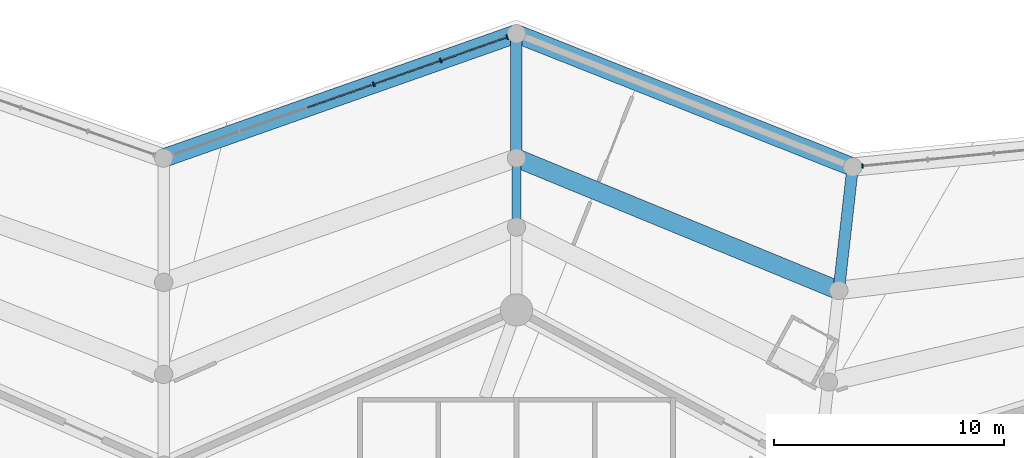
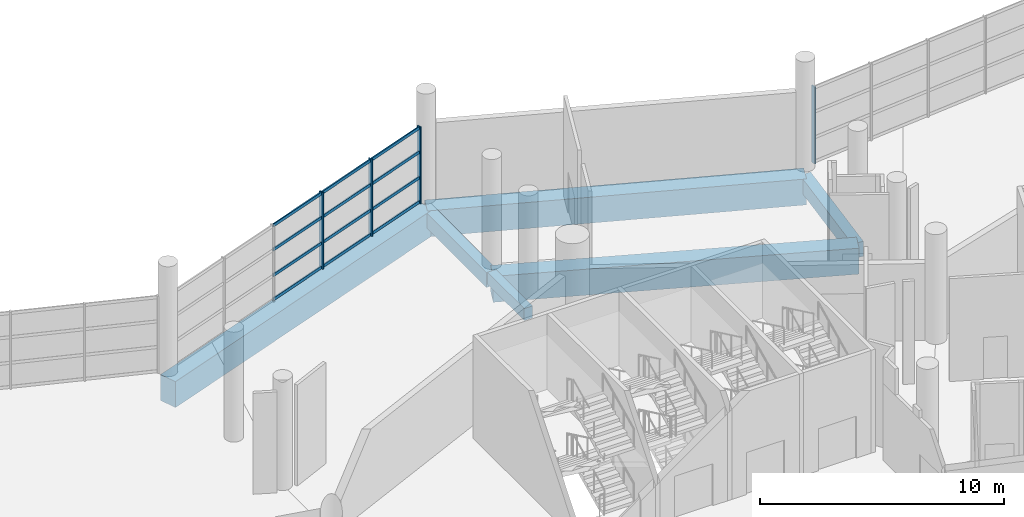
# One storey, part 108 of 271: 16 members, 6 beams, 2 elements without a shape of their own.
"""IFC4 building model written with IfcOpenShell, lengths in metres."""

from ifc_helpers import new_model, si_unit, direction, frame, origin, origin_2d, place, context, subcontext, project, spatial, rectangle, extrude, material, layer, layer_set, material_profile, profile_set, type_object, element, aggregate, save


model = new_model("IFC4")

# Units and contexts
model_context = context("Model", 3, precision=1e-05, world=origin(), true_north=direction((0.0, 1.0)))
body_context = subcontext(model_context, "Body", "Model", "MODEL_VIEW")
ifc_project = project(units=[si_unit("LENGTHUNIT", "METRE"), si_unit("AREAUNIT", "SQUARE_METRE"), si_unit("VOLUMEUNIT", "CUBIC_METRE"), si_unit("PLANEANGLEUNIT", "RADIAN"), si_unit("MASSUNIT", "GRAM", prefix="KILO")], contexts=[model_context])

# Site, building, storey
site_placement = place(None, origin())
site = spatial("IfcSite", under=ifc_project, at=site_placement, CompositionType="ELEMENT")
building_placement = place(site_placement, origin())
building = spatial("IfcBuilding", under=site, at=building_placement, Name="Meseta Stadium", CompositionType="ELEMENT")
storey_placement = place(building_placement, frame((0.0, 0.0, 6.5)))
storey = spatial("IfcBuildingStorey", under=building, at=storey_placement, Name="L01", CompositionType="ELEMENT", Elevation=6.5)

# Beams
ifc_material_1 = material(Name="Concrete C40/50", Category="concrete")
ifc_material_profile_1 = material_profile(ifc_material_1, rectangle(XDim=0.39990234375, YDim=0.60009765625, at=origin_2d()), Name="RC 400x600")
ifc_profile_set_1 = profile_set([ifc_material_profile_1], Name="Concrete C40/50")
beam_type_1 = type_object("IfcBeamType", Name="RC beam 400x600", PredefinedType="BEAM", material=ifc_profile_set_1)
beam_1_placement = place(storey_placement, frame((38.333251953125, 109.0, -0.64990234375), z_axis=(0.0, 1.0, 0.0), x_axis=(-1.0, 0.0, 0.0)))
element("IfcBeam", 1, at=beam_1_placement, inside=storey, type_object=beam_type_1, Name="L01 radial beam frame 16 line M to Q", PredefinedType="BEAM", context=body_context, shape_type="SweptSolid", body=[
    extrude(rectangle(XDim=0.39990234375, YDim=0.60009765625, at=origin_2d()), origin(), (0.0, 0.0, 1.0), 3.0),
])
ifc_material_2 = material(Name="Concrete C40/50", Category="concrete")
ifc_material_profile_2 = material_profile(ifc_material_2, rectangle(XDim=0.5, YDim=0.75, at=origin_2d()), Name="RC 500x750")
ifc_profile_set_2 = profile_set([ifc_material_profile_2], Name="Concrete C40/50")
beam_type_2 = type_object("IfcBeamType", Name="RC beam 500x750", PredefinedType="BEAM", material=ifc_profile_set_2)
for number, where, z_axis, x_axis, name in (
    (2, (52.337158203125, 106.244140625, -0.72509765625), (0.111989542172, 0.993709385305, 0.0), (-0.993709385305, 0.111989542172, 0.0), "L01 radial beam frame 15 line Q to O"),
    (3, (38.333251953125, 112.0, -0.72509765625), (0.0, 1.0, 0.0), (-1.0, 0.0, 0.0), "L01 radial beam frame 16 line Q to O"),
):
    element("IfcBeam", number, at=place(storey_placement, frame(where, z_axis=z_axis, x_axis=x_axis)), inside=storey, type_object=beam_type_2, Name=name, PredefinedType="BEAM", context=body_context, shape_type="SweptSolid", body=[
        extrude(rectangle(XDim=0.5, YDim=0.75, at=origin_2d()), origin(), (0.0, 0.0, 1.0), 5.39990234375),
    ])
ifc_material_3 = material(Name="Concrete C40/50", Category="concrete")
ifc_material_profile_3 = material_profile(ifc_material_3, rectangle(XDim=0.800048828125, YDim=1.300048828125, at=origin_2d()), Name="RC 800x1300")
ifc_profile_set_3 = profile_set([ifc_material_profile_3], Name="Concrete C40/50")
beam_type_3 = type_object("IfcBeamType", Name="RC beam 800x1300", PredefinedType="BEAM", material=ifc_profile_set_3)
beam_2_placement = place(storey_placement, frame((52.337158203125, 106.244140625, -1.0), z_axis=(-0.924921023006, 0.380159310293, 0.0), x_axis=(-0.380159310293, -0.924921023006, 0.0)))
element("IfcBeam", 4, at=beam_2_placement, inside=storey, type_object=beam_type_3, Name="L01 ring beam frame 15 line Q", PredefinedType="BEAM", context=body_context, shape_type="SweptSolid", body=[
    extrude(rectangle(XDim=0.800048828125, YDim=1.300048828125, at=origin_2d()), origin(), (0.0, 0.0, 1.0), 15.140625),
])
beam_3_placement = place(storey_placement, frame((52.94189453125, 111.610107421875, -1.0), z_axis=(-0.929649573326, 0.368444935933, 0.0), x_axis=(-0.368444935933, -0.929649573326, 0.0)))
element("IfcBeam", 5, at=beam_3_placement, inside=storey, type_object=beam_type_3, Name="L01 ring beam frame 15 line O", PredefinedType="BEAM", context=body_context, shape_type="SweptSolid", body=[
    extrude(rectangle(XDim=0.800048828125, YDim=1.300048828125, at=origin_2d()), origin(), (0.0, 0.0, 1.0), 15.714111328125),
])
beam_4_placement = place(storey_placement, frame((38.333251953125, 117.39990234375, -1.0), z_axis=(-0.943218573019, -0.332172731439, 0.0), x_axis=(0.332172731439, -0.943218573019, 0.0)))
element("IfcBeam", 6, at=beam_4_placement, inside=storey, type_object=beam_type_3, Name="L01 ring beam frame 16 line O", PredefinedType="BEAM", context=body_context, shape_type="SweptSolid", body=[
    extrude(rectangle(XDim=0.800048828125, YDim=1.300048828125, at=origin_2d()), origin(), (0.0, 0.0, 1.0), 16.25634765625),
])

# Curtain wall, member
ifc_material_4 = material(Name="Aluminium", Category="aluminium")
ifc_layer = layer(ifc_material_4, 0.199951171875)
ifc_layer_set = layer_set([ifc_layer], Name="Ring shopfront curtain wall")
curtain_wall_type = type_object("IfcCurtainWallType", Name="Ring shopfront curtain wall", PredefinedType="NOTDEFINED", material=ifc_layer_set)
curtain_wall_1_placement = place(storey_placement, origin())
curtain_wall_1 = element("IfcCurtainWall", 7, at=curtain_wall_1_placement, inside=storey, type_object=curtain_wall_type, Name="Ring glazing L01 F14", PredefinedType="NOTDEFINED")
ifc_material_5 = material(Name="Aluminium", Category="aluminium")
ifc_material_profile_4 = material_profile(ifc_material_5, rectangle(XDim=0.199951171875, YDim=0.06005859375, at=origin_2d()), Name="CW 200x60")
ifc_profile_set_4 = profile_set([ifc_material_profile_4], Name="Aluminium")
member_type_1 = type_object("IfcMemberType", Name="Ring CW mullion 60x200", PredefinedType="MULLION", material=ifc_profile_set_4)
member_1_placement = place(storey_placement, frame((53.369873046875, 111.65185546875, 0.0), z_axis=(0.0, 0.0, 1.0), x_axis=(0.097124618973, -0.995272228282, 0.0)))
member_1 = element("IfcMember", 8, at=member_1_placement, type_object=member_type_1, Name="CWR1 mullion 6", PredefinedType="MULLION", context=body_context, shape_type="SweptSolid", body=[
    extrude(rectangle(XDim=0.199951171875, YDim=0.06005859375, at=origin_2d()), origin(), (0.0, 0.0, 1.0), 3.85009765625),
])
aggregate(curtain_wall_1, [member_1])

# Curtain wall, members
curtain_wall_2_placement = place(storey_placement, origin())
curtain_wall_2 = element("IfcCurtainWall", 9, at=curtain_wall_2_placement, inside=storey, type_object=curtain_wall_type, Name="Ring glazing L01 F16", PredefinedType="NOTDEFINED")
member_2_placement = place(storey_placement, frame((37.927734375, 117.257080078125, 0.0), z_axis=(0.0, 0.0, 1.0), x_axis=(0.332174330154, -0.943218009999, 0.0)))
member_2 = element("IfcMember", 10, at=member_2_placement, type_object=member_type_1, Name="CWR1 mullion 1", PredefinedType="MULLION", context=body_context, shape_type="SweptSolid", body=[
    extrude(rectangle(XDim=0.199951171875, YDim=0.06005859375, at=origin_2d()), origin(), (0.0, 0.0, 1.0), 3.85009765625),
])
member_3_placement = place(storey_placement, frame((35.040283203125, 116.240234375, 0.0), z_axis=(0.0, 0.0, 1.0), x_axis=(0.332174330154, -0.943218009999, 0.0)))
member_3 = element("IfcMember", 11, at=member_3_placement, type_object=member_type_1, Name="CWR1 mullion 2", PredefinedType="MULLION", context=body_context, shape_type="SweptSolid", body=[
    extrude(rectangle(XDim=0.199951171875, YDim=0.06005859375, at=origin_2d()), origin(), (0.0, 0.0, 1.0), 3.85009765625),
])
member_4_placement = place(storey_placement, frame((32.12451171875, 115.21337890625, 0.0), z_axis=(0.0, 0.0, 1.0), x_axis=(0.332174330154, -0.943218009999, 0.0)))
member_4 = element("IfcMember", 12, at=member_4_placement, type_object=member_type_1, Name="CWR1 mullion 3", PredefinedType="MULLION", context=body_context, shape_type="SweptSolid", body=[
    extrude(rectangle(XDim=0.199951171875, YDim=0.06005859375, at=origin_2d()), origin(), (0.0, 0.0, 1.0), 3.85009765625),
])
ifc_material_6 = material(Name="Aluminium", Category="aluminium")
ifc_material_profile_5 = material_profile(ifc_material_6, rectangle(XDim=0.06005859375, YDim=0.14990234375, at=origin_2d()), Name="CW 60x150")
ifc_profile_set_5 = profile_set([ifc_material_profile_5], Name="Aluminium")
member_type_2 = type_object("IfcMemberType", Name="Ring CW transom 60x150", PredefinedType="USERDEFINED", material=ifc_profile_set_5)
member_5_placement = place(storey_placement, frame((37.8994140625, 117.2470703125, 0.074951171875), z_axis=(-0.943228878245, -0.332143467863, 0.0), x_axis=(0.332143467863, -0.943228878245, 0.0)))
member_5 = element("IfcMember", 13, at=member_5_placement, type_object=member_type_2, Name="CWR1 transom 1.1", ObjectType="TRANSOM", PredefinedType="USERDEFINED", context=body_context, shape_type="SweptSolid", body=[
    extrude(rectangle(XDim=0.06005859375, YDim=0.14990234375, at=origin_2d()), origin(), (0.0, 0.0, 1.0), 3.001220703125),
])
member_6_placement = place(storey_placement, frame((37.8994140625, 117.2470703125, 1.283447265625), z_axis=(-0.943228878245, -0.332143467863, 0.0), x_axis=(0.332143467863, -0.943228878245, 0.0)))
member_6 = element("IfcMember", 14, at=member_6_placement, type_object=member_type_2, Name="CWR1 transom 1.2", ObjectType="TRANSOM", PredefinedType="USERDEFINED", context=body_context, shape_type="SweptSolid", body=[
    extrude(rectangle(XDim=0.06005859375, YDim=0.14990234375, at=origin_2d()), origin(), (0.0, 0.0, 1.0), 3.001220703125),
])
member_7_placement = place(storey_placement, frame((37.8994140625, 117.2470703125, 2.566650390625), z_axis=(-0.943228878245, -0.332143467863, 0.0), x_axis=(0.332143467863, -0.943228878245, 0.0)))
member_7 = element("IfcMember", 15, at=member_7_placement, type_object=member_type_2, Name="CWR1 transom 1.3", ObjectType="TRANSOM", PredefinedType="USERDEFINED", context=body_context, shape_type="SweptSolid", body=[
    extrude(rectangle(XDim=0.06005859375, YDim=0.14990234375, at=origin_2d()), origin(), (0.0, 0.0, 1.0), 3.001220703125),
])
member_8_placement = place(storey_placement, frame((37.8994140625, 117.2470703125, 3.77490234375), z_axis=(-0.943228878245, -0.332143467863, 0.0), x_axis=(0.332143467863, -0.943228878245, 0.0)))
member_8 = element("IfcMember", 16, at=member_8_placement, type_object=member_type_2, Name="CWR1 transom 1.4", ObjectType="TRANSOM", PredefinedType="USERDEFINED", context=body_context, shape_type="SweptSolid", body=[
    extrude(rectangle(XDim=0.06005859375, YDim=0.14990234375, at=origin_2d()), origin(), (0.0, 0.0, 1.0), 3.001220703125),
])
member_9_placement = place(storey_placement, frame((35.011962890625, 116.230224609375, 0.074951171875), z_axis=(-0.943225032885, -0.332154387808, 0.0), x_axis=(0.332154387808, -0.943225032885, 0.0)))
member_9 = element("IfcMember", 17, at=member_9_placement, type_object=member_type_2, Name="CWR1 transom 2.1", ObjectType="TRANSOM", PredefinedType="USERDEFINED", context=body_context, shape_type="SweptSolid", body=[
    extrude(rectangle(XDim=0.06005859375, YDim=0.14990234375, at=origin_2d()), origin(), (0.0, 0.0, 1.0), 3.03125),
])
member_10_placement = place(storey_placement, frame((35.011962890625, 116.230224609375, 1.283447265625), z_axis=(-0.943225032885, -0.332154387808, 0.0), x_axis=(0.332154387808, -0.943225032885, 0.0)))
member_10 = element("IfcMember", 18, at=member_10_placement, type_object=member_type_2, Name="CWR1 transom 2.2", ObjectType="TRANSOM", PredefinedType="USERDEFINED", context=body_context, shape_type="SweptSolid", body=[
    extrude(rectangle(XDim=0.06005859375, YDim=0.14990234375, at=origin_2d()), origin(), (0.0, 0.0, 1.0), 3.03125),
])
member_11_placement = place(storey_placement, frame((35.011962890625, 116.230224609375, 2.566650390625), z_axis=(-0.943225032885, -0.332154387808, 0.0), x_axis=(0.332154387808, -0.943225032885, 0.0)))
member_11 = element("IfcMember", 19, at=member_11_placement, type_object=member_type_2, Name="CWR1 transom 2.3", ObjectType="TRANSOM", PredefinedType="USERDEFINED", context=body_context, shape_type="SweptSolid", body=[
    extrude(rectangle(XDim=0.06005859375, YDim=0.14990234375, at=origin_2d()), origin(), (0.0, 0.0, 1.0), 3.03125),
])
member_12_placement = place(storey_placement, frame((35.011962890625, 116.230224609375, 3.77490234375), z_axis=(-0.943225032885, -0.332154387808, 0.0), x_axis=(0.332154387808, -0.943225032885, 0.0)))
member_12 = element("IfcMember", 20, at=member_12_placement, type_object=member_type_2, Name="CWR1 transom 2.4", ObjectType="TRANSOM", PredefinedType="USERDEFINED", context=body_context, shape_type="SweptSolid", body=[
    extrude(rectangle(XDim=0.06005859375, YDim=0.14990234375, at=origin_2d()), origin(), (0.0, 0.0, 1.0), 3.03125),
])
member_13_placement = place(storey_placement, frame((32.09619140625, 115.203369140625, 0.074951171875), z_axis=(-0.943225032885, -0.332154387808, 0.0), x_axis=(0.332154387808, -0.943225032885, 0.0)))
member_13 = element("IfcMember", 21, at=member_13_placement, type_object=member_type_2, Name="CWR1 transom 3.1", ObjectType="TRANSOM", PredefinedType="USERDEFINED", context=body_context, shape_type="SweptSolid", body=[
    extrude(rectangle(XDim=0.06005859375, YDim=0.14990234375, at=origin_2d()), origin(), (0.0, 0.0, 1.0), 3.03125),
])
member_14_placement = place(storey_placement, frame((32.09619140625, 115.203369140625, 1.283447265625), z_axis=(-0.943225032885, -0.332154387808, 0.0), x_axis=(0.332154387808, -0.943225032885, 0.0)))
member_14 = element("IfcMember", 22, at=member_14_placement, type_object=member_type_2, Name="CWR1 transom 3.2", ObjectType="TRANSOM", PredefinedType="USERDEFINED", context=body_context, shape_type="SweptSolid", body=[
    extrude(rectangle(XDim=0.06005859375, YDim=0.14990234375, at=origin_2d()), origin(), (0.0, 0.0, 1.0), 3.03125),
])
member_15_placement = place(storey_placement, frame((32.09619140625, 115.203369140625, 2.566650390625), z_axis=(-0.943225032885, -0.332154387808, 0.0), x_axis=(0.332154387808, -0.943225032885, 0.0)))
member_15 = element("IfcMember", 23, at=member_15_placement, type_object=member_type_2, Name="CWR1 transom 3.3", ObjectType="TRANSOM", PredefinedType="USERDEFINED", context=body_context, shape_type="SweptSolid", body=[
    extrude(rectangle(XDim=0.06005859375, YDim=0.14990234375, at=origin_2d()), origin(), (0.0, 0.0, 1.0), 3.03125),
])
member_16_placement = place(storey_placement, frame((32.09619140625, 115.203369140625, 3.77490234375), z_axis=(-0.943225032885, -0.332154387808, 0.0), x_axis=(0.332154387808, -0.943225032885, 0.0)))
member_16 = element("IfcMember", 24, at=member_16_placement, type_object=member_type_2, Name="CWR1 transom 3.4", ObjectType="TRANSOM", PredefinedType="USERDEFINED", context=body_context, shape_type="SweptSolid", body=[
    extrude(rectangle(XDim=0.06005859375, YDim=0.14990234375, at=origin_2d()), origin(), (0.0, 0.0, 1.0), 3.03125),
])
aggregate(curtain_wall_2, [member_2, member_3, member_4, member_5, member_6, member_7, member_8, member_9, member_10, member_11, member_12, member_13, member_14, member_15, member_16])

save(model, "model.ifc")
